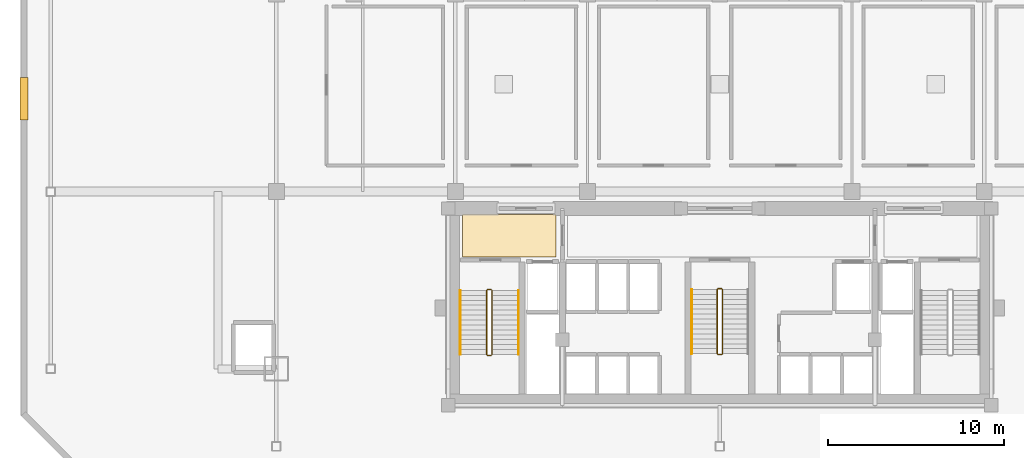
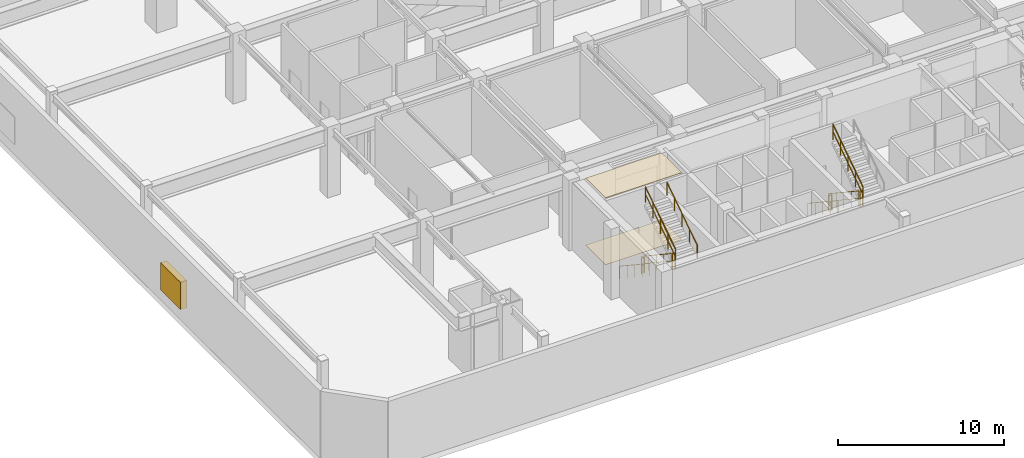
# One storey, part 12 of 14: 11 railings, 2 coverings, 1 shading device.
"""IFC4 building model written with IfcOpenShell, lengths in metres."""

from ifc_helpers import new_model, si_unit, direction, frame, origin, origin_2d, place, context, subcontext, project, spatial, polyline, rectangle, circle, outline, extrude, material, layer, layer_set, type_object, element, save


model = new_model("IFC4")

# Units and contexts
model_context = context("Model", 3, precision=1e-05, world=origin(), true_north=direction((0.0, 1.0)))
body_context = subcontext(model_context, "Body", "Model", "MODEL_VIEW")
ifc_project = project(units=[si_unit("LENGTHUNIT", "METRE"), si_unit("AREAUNIT", "SQUARE_METRE"), si_unit("VOLUMEUNIT", "CUBIC_METRE"), si_unit("PLANEANGLEUNIT", "RADIAN"), si_unit("MASSUNIT", "GRAM", prefix="KILO")], contexts=[model_context])

# Site, building, storey
site_placement = place(None, origin())
site = spatial("IfcSite", under=ifc_project, at=site_placement, CompositionType="ELEMENT")
building_placement = place(site_placement, origin())
building = spatial("IfcBuilding", under=site, at=building_placement, Name="Ventersveld Concourse Tower", CompositionType="ELEMENT")
storey_placement = place(building_placement, frame((0.0, 0.0, 24.60009765625)))
storey = spatial("IfcBuildingStorey", under=building, at=storey_placement, Name="L05", CompositionType="ELEMENT", Elevation=24.60009765625)

# Coverings
ifc_material_1 = material(Name="Mineral-fibre acoustic ceiling tile", Category="gypsum")
ifc_layer_1 = layer(ifc_material_1, 0.0400390625)
ifc_layer_set_1 = layer_set([ifc_layer_1], Name="Mineral-fibre acoustic ceiling tile")
covering_type_1 = type_object("IfcCoveringType", Name="COV-CEIL-ACOUSTIC", PredefinedType="CEILING", material=ifc_layer_set_1)
covering_1_placement = place(storey_placement, frame((0.0, 0.0, 4.909912109375)))
element("IfcCovering", 1, at=covering_1_placement, inside=storey, type_object=covering_type_1, Name="L05 West Firefighting Lobby Acoustic Ceiling", PredefinedType="CEILING", context=body_context, shape_type="SweptSolid", body=[
    extrude(outline(polyline([(14.14990234375, 8.699951171875), (19.449951171875, 8.699951171875), (19.449951171875, 11.10009765625), (14.14990234375, 11.10009765625), (14.14990234375, 8.699951171875)])), origin(), (0.0, 0.0, 1.0), 0.0400390625),
])
ifc_material_2 = material(Name="Polished Highveld granite terrazzo", Category="masonry")
ifc_layer_2 = layer(ifc_material_2, 0.02001953125)
ifc_layer_set_2 = layer_set([ifc_layer_2], Name="Polished Highveld granite terrazzo")
covering_type_2 = type_object("IfcCoveringType", Name="COV-FLOOR-TERRAZZO", PredefinedType="FLOORING", material=ifc_layer_set_2)
covering_2_placement = place(storey_placement, origin())
element("IfcCovering", 2, at=covering_2_placement, inside=storey, type_object=covering_type_2, Name="L05 West Firefighting Lobby Terrazzo Flooring", PredefinedType="FLOORING", context=body_context, shape_type="SweptSolid", body=[
    extrude(outline(polyline([(14.14990234375, 8.699951171875), (19.449951171875, 8.699951171875), (19.449951171875, 11.10009765625), (14.14990234375, 11.10009765625), (14.14990234375, 8.699951171875)])), origin(), (0.0, 0.0, 1.0), 0.02001953125),
])

# Railings
ifc_material_3 = material(Name="Brushed stainless steel 316", Category="steel")
railing_type_1 = type_object("IfcRailingType", Name="GD-BAL-115", PredefinedType="GUARDRAIL", material=ifc_material_3)
railing_1_placement = place(storey_placement, frame((15.530029296875, 6.800048828125, 0.185546875)))
element("IfcRailing", 3, at=railing_1_placement, inside=storey, type_object=railing_type_1, Name="L05 ST-01 stair guard 1", PredefinedType="GUARDRAIL", context=body_context, shape_type="SweptSolid", body=[
    extrude(circle(Radius=0.02392578125, at=origin_2d()), frame((0.0, 0.0, 1.1259765625), z_axis=(0.0, -0.833363587613, 0.552725185641), x_axis=(1.0, 0.0, 0.0)), (0.0, 0.0, 1.0), 4.367919921875),
    extrude(circle(Radius=0.01611328125, at=origin_2d()), frame((0.0, 0.0, 0.574951171875), z_axis=(0.0, -0.833363587613, 0.552725185641), x_axis=(1.0, 0.0, 0.0)), (0.0, 0.0, 1.0), 4.367919921875),
    extrude(circle(Radius=0.02099609375, at=origin_2d()), origin(), (0.0, 0.0, 1.0), 1.101806640625),
    extrude(circle(Radius=0.02099609375, at=origin_2d()), frame((0.0, -0.91015625, 0.603515625)), (0.0, 0.0, 1.0), 1.101806640625),
    extrude(circle(Radius=0.02099609375, at=origin_2d()), frame((0.0, -1.820068359375, 1.20703125)), (0.0, 0.0, 1.0), 1.101806640625),
    extrude(circle(Radius=0.02099609375, at=origin_2d()), frame((0.0, -2.72998046875, 1.810791015625)), (0.0, 0.0, 1.0), 1.101806640625),
    extrude(circle(Radius=0.02099609375, at=origin_2d()), frame((0.0, -3.64013671875, 2.414306640625)), (0.0, 0.0, 1.0), 1.101806640625),
])
railing_2_placement = place(storey_placement, frame((15.580078125, 3.110107421875, 2.599853515625)))
element("IfcRailing", 4, at=railing_2_placement, inside=storey, type_object=railing_type_1, Name="L05 ST-01 stair guard 2", PredefinedType="GUARDRAIL", context=body_context, shape_type="SweptSolid", body=[
    extrude(circle(Radius=0.02392578125, at=origin_2d()), frame((0.0, 0.0, 1.1259765625), z_axis=(1.0, 0.0, 0.0), x_axis=(0.0, 1.0, 0.0)), (0.0, 0.0, 1.0), 0.199951171875),
    extrude(circle(Radius=0.01611328125, at=origin_2d()), frame((0.0, 0.0, 0.574951171875), z_axis=(1.0, 0.0, 0.0), x_axis=(0.0, 1.0, 0.0)), (0.0, 0.0, 1.0), 0.199951171875),
    extrude(circle(Radius=0.02099609375, at=origin_2d()), origin(), (0.0, 0.0, 1.0), 1.101806640625),
    extrude(circle(Radius=0.02099609375, at=origin_2d()), frame((0.199951171875, 0.0, 0.0)), (0.0, 0.0, 1.0), 1.101806640625),
])
railing_3_placement = place(storey_placement, frame((15.830078125, 3.159912109375, 2.78564453125)))
element("IfcRailing", 5, at=railing_3_placement, inside=storey, type_object=railing_type_1, Name="L05 ST-01 stair guard 3", PredefinedType="GUARDRAIL", context=body_context, shape_type="SweptSolid", body=[
    extrude(circle(Radius=0.02392578125, at=origin_2d()), frame((0.0, 0.0, 1.1259765625), z_axis=(0.0, 0.833363587613, 0.552725185641), x_axis=(-1.0, 0.0, 0.0)), (0.0, 0.0, 1.0), 4.367919921875),
    extrude(circle(Radius=0.01611328125, at=origin_2d()), frame((0.0, 0.0, 0.574951171875), z_axis=(0.0, 0.833363587613, 0.552725185641), x_axis=(-1.0, 0.0, 0.0)), (0.0, 0.0, 1.0), 4.367919921875),
    extrude(circle(Radius=0.02099609375, at=origin_2d()), origin(), (0.0, 0.0, 1.0), 1.101806640625),
    extrude(circle(Radius=0.02099609375, at=origin_2d()), frame((0.0, 0.91015625, 0.603515625)), (0.0, 0.0, 1.0), 1.101806640625),
    extrude(circle(Radius=0.02099609375, at=origin_2d()), frame((0.0, 1.820068359375, 1.20703125)), (0.0, 0.0, 1.0), 1.101806640625),
    extrude(circle(Radius=0.02099609375, at=origin_2d()), frame((0.0, 2.72998046875, 1.810791015625)), (0.0, 0.0, 1.0), 1.101806640625),
    extrude(circle(Radius=0.02099609375, at=origin_2d()), frame((0.0, 3.64013671875, 2.414306640625)), (0.0, 0.0, 1.0), 1.101806640625),
])
railing_4_placement = place(storey_placement, frame((15.580078125, 6.85009765625, 0.0)))
element("IfcRailing", 6, at=railing_4_placement, inside=storey, type_object=railing_type_1, Name="L05 ST-01 stair guard 4", PredefinedType="GUARDRAIL", context=body_context, shape_type="SweptSolid", body=[
    extrude(circle(Radius=0.02392578125, at=origin_2d()), frame((0.0, 0.0, 1.1259765625), z_axis=(1.0, 0.0, 0.0), x_axis=(0.0, 1.0, 0.0)), (0.0, 0.0, 1.0), 0.199951171875),
    extrude(circle(Radius=0.01611328125, at=origin_2d()), frame((0.0, 0.0, 0.574951171875), z_axis=(1.0, 0.0, 0.0), x_axis=(0.0, 1.0, 0.0)), (0.0, 0.0, 1.0), 0.199951171875),
    extrude(circle(Radius=0.02099609375, at=origin_2d()), origin(), (0.0, 0.0, 1.0), 1.101806640625),
    extrude(circle(Radius=0.02099609375, at=origin_2d()), frame((0.199951171875, 0.0, 0.0)), (0.0, 0.0, 1.0), 1.101806640625),
])
railing_5_placement = place(storey_placement, frame((28.60009765625, 6.85009765625, 0.185546875)))
element("IfcRailing", 7, at=railing_5_placement, inside=storey, type_object=railing_type_1, Name="L05 ST-03 stair guard 1", PredefinedType="GUARDRAIL", context=body_context, shape_type="SweptSolid", body=[
    extrude(circle(Radius=0.02392578125, at=origin_2d()), frame((0.0, 0.0, 1.1259765625), z_axis=(0.0, -0.833363587613, 0.552725185641), x_axis=(1.0, 0.0, 0.0)), (0.0, 0.0, 1.0), 4.367919921875),
    extrude(circle(Radius=0.01611328125, at=origin_2d()), frame((0.0, 0.0, 0.574951171875), z_axis=(0.0, -0.833363587613, 0.552725185641), x_axis=(1.0, 0.0, 0.0)), (0.0, 0.0, 1.0), 4.367919921875),
    extrude(circle(Radius=0.02099609375, at=origin_2d()), origin(), (0.0, 0.0, 1.0), 1.101806640625),
    extrude(circle(Radius=0.02099609375, at=origin_2d()), frame((0.0, -0.91015625, 0.603515625)), (0.0, 0.0, 1.0), 1.101806640625),
    extrude(circle(Radius=0.02099609375, at=origin_2d()), frame((0.0, -1.820068359375, 1.20703125)), (0.0, 0.0, 1.0), 1.101806640625),
    extrude(circle(Radius=0.02099609375, at=origin_2d()), frame((0.0, -2.72998046875, 1.810791015625)), (0.0, 0.0, 1.0), 1.101806640625),
    extrude(circle(Radius=0.02099609375, at=origin_2d()), frame((0.0, -3.64013671875, 2.414306640625)), (0.0, 0.0, 1.0), 1.101806640625),
])
railing_6_placement = place(storey_placement, frame((28.64990234375, 3.159912109375, 2.599853515625)))
element("IfcRailing", 8, at=railing_6_placement, inside=storey, type_object=railing_type_1, Name="L05 ST-03 stair guard 2", PredefinedType="GUARDRAIL", context=body_context, shape_type="SweptSolid", body=[
    extrude(circle(Radius=0.02392578125, at=origin_2d()), frame((0.0, 0.0, 1.1259765625), z_axis=(1.0, 0.0, 0.0), x_axis=(0.0, 1.0, 0.0)), (0.0, 0.0, 1.0), 0.2001953125),
    extrude(circle(Radius=0.01611328125, at=origin_2d()), frame((0.0, 0.0, 0.574951171875), z_axis=(1.0, 0.0, 0.0), x_axis=(0.0, 1.0, 0.0)), (0.0, 0.0, 1.0), 0.2001953125),
    extrude(circle(Radius=0.02099609375, at=origin_2d()), origin(), (0.0, 0.0, 1.0), 1.101806640625),
    extrude(circle(Radius=0.02099609375, at=origin_2d()), frame((0.2001953125, 0.0, 0.0)), (0.0, 0.0, 1.0), 1.101806640625),
])
railing_7_placement = place(storey_placement, frame((28.89990234375, 3.2099609375, 2.78564453125)))
element("IfcRailing", 9, at=railing_7_placement, inside=storey, type_object=railing_type_1, Name="L05 ST-03 stair guard 3", PredefinedType="GUARDRAIL", context=body_context, shape_type="SweptSolid", body=[
    extrude(circle(Radius=0.02392578125, at=origin_2d()), frame((0.0, 0.0, 1.1259765625), z_axis=(0.0, 0.833363587613, 0.552725185641), x_axis=(-1.0, 0.0, 0.0)), (0.0, 0.0, 1.0), 4.367919921875),
    extrude(circle(Radius=0.01611328125, at=origin_2d()), frame((0.0, 0.0, 0.574951171875), z_axis=(0.0, 0.833363587613, 0.552725185641), x_axis=(-1.0, 0.0, 0.0)), (0.0, 0.0, 1.0), 4.367919921875),
    extrude(circle(Radius=0.02099609375, at=origin_2d()), origin(), (0.0, 0.0, 1.0), 1.101806640625),
    extrude(circle(Radius=0.02099609375, at=origin_2d()), frame((0.0, 0.91015625, 0.603515625)), (0.0, 0.0, 1.0), 1.101806640625),
    extrude(circle(Radius=0.02099609375, at=origin_2d()), frame((0.0, 1.820068359375, 1.20703125)), (0.0, 0.0, 1.0), 1.101806640625),
    extrude(circle(Radius=0.02099609375, at=origin_2d()), frame((0.0, 2.72998046875, 1.810791015625)), (0.0, 0.0, 1.0), 1.101806640625),
    extrude(circle(Radius=0.02099609375, at=origin_2d()), frame((0.0, 3.64013671875, 2.414306640625)), (0.0, 0.0, 1.0), 1.101806640625),
])
railing_8_placement = place(storey_placement, frame((28.64990234375, 6.89990234375, 0.0)))
element("IfcRailing", 10, at=railing_8_placement, inside=storey, type_object=railing_type_1, Name="L05 ST-03 stair guard 4", PredefinedType="GUARDRAIL", context=body_context, shape_type="SweptSolid", body=[
    extrude(circle(Radius=0.02392578125, at=origin_2d()), frame((0.0, 0.0, 1.1259765625), z_axis=(1.0, 0.0, 0.0), x_axis=(0.0, 1.0, 0.0)), (0.0, 0.0, 1.0), 0.2001953125),
    extrude(circle(Radius=0.01611328125, at=origin_2d()), frame((0.0, 0.0, 0.574951171875), z_axis=(1.0, 0.0, 0.0), x_axis=(0.0, 1.0, 0.0)), (0.0, 0.0, 1.0), 0.2001953125),
    extrude(circle(Radius=0.02099609375, at=origin_2d()), origin(), (0.0, 0.0, 1.0), 1.101806640625),
    extrude(circle(Radius=0.02099609375, at=origin_2d()), frame((0.2001953125, 0.0, 0.0)), (0.0, 0.0, 1.0), 1.101806640625),
])
railing_type_2 = type_object("IfcRailingType", Name="HR-RMP-095", PredefinedType="HANDRAIL", material=ifc_material_3)
railing_9_placement = place(storey_placement, frame((14.030029296875, 6.800048828125, 0.185546875)))
element("IfcRailing", 11, at=railing_9_placement, inside=storey, type_object=railing_type_2, Name="L05 ST-01 stair handrail 1", PredefinedType="HANDRAIL", context=body_context, shape_type="SweptSolid", body=[
    extrude(circle(Radius=0.02392578125, at=origin_2d()), frame((0.0, 0.0, 0.92578125), z_axis=(0.0, -0.833363587613, 0.552725185641), x_axis=(1.0, 0.0, 0.0)), (0.0, 0.0, 1.0), 4.367919921875),
    extrude(circle(Radius=0.02099609375, at=origin_2d()), origin(), (0.0, 0.0, 1.0), 0.90185546875),
    extrude(circle(Radius=0.02099609375, at=origin_2d()), frame((0.0, -0.91015625, 0.603515625)), (0.0, 0.0, 1.0), 0.90185546875),
    extrude(circle(Radius=0.02099609375, at=origin_2d()), frame((0.0, -1.820068359375, 1.20703125)), (0.0, 0.0, 1.0), 0.90185546875),
    extrude(circle(Radius=0.02099609375, at=origin_2d()), frame((0.0, -2.72998046875, 1.810791015625)), (0.0, 0.0, 1.0), 0.90185546875),
    extrude(circle(Radius=0.02099609375, at=origin_2d()), frame((0.0, -3.64013671875, 2.414306640625)), (0.0, 0.0, 1.0), 0.90185546875),
])
railing_10_placement = place(storey_placement, frame((17.330078125, 3.159912109375, 2.78564453125)))
element("IfcRailing", 12, at=railing_10_placement, inside=storey, type_object=railing_type_2, Name="L05 ST-01 stair handrail 2", PredefinedType="HANDRAIL", context=body_context, shape_type="SweptSolid", body=[
    extrude(circle(Radius=0.02392578125, at=origin_2d()), frame((0.0, 0.0, 0.92578125), z_axis=(0.0, 0.833363587613, 0.552725185641), x_axis=(-1.0, 0.0, 0.0)), (0.0, 0.0, 1.0), 4.367919921875),
    extrude(circle(Radius=0.02099609375, at=origin_2d()), origin(), (0.0, 0.0, 1.0), 0.90185546875),
    extrude(circle(Radius=0.02099609375, at=origin_2d()), frame((0.0, 0.91015625, 0.603515625)), (0.0, 0.0, 1.0), 0.90185546875),
    extrude(circle(Radius=0.02099609375, at=origin_2d()), frame((0.0, 1.820068359375, 1.20703125)), (0.0, 0.0, 1.0), 0.90185546875),
    extrude(circle(Radius=0.02099609375, at=origin_2d()), frame((0.0, 2.72998046875, 1.810791015625)), (0.0, 0.0, 1.0), 0.90185546875),
    extrude(circle(Radius=0.02099609375, at=origin_2d()), frame((0.0, 3.64013671875, 2.414306640625)), (0.0, 0.0, 1.0), 0.90185546875),
])
railing_11_placement = place(storey_placement, frame((27.14990234375, 6.85009765625, 0.185546875)))
element("IfcRailing", 13, at=railing_11_placement, inside=storey, type_object=railing_type_2, Name="L05 ST-03 stair handrail 1", PredefinedType="HANDRAIL", context=body_context, shape_type="SweptSolid", body=[
    extrude(circle(Radius=0.02392578125, at=origin_2d()), frame((0.0, 0.0, 0.92578125), z_axis=(0.0, -0.833363587613, 0.552725185641), x_axis=(1.0, 0.0, 0.0)), (0.0, 0.0, 1.0), 4.367919921875),
    extrude(circle(Radius=0.02099609375, at=origin_2d()), origin(), (0.0, 0.0, 1.0), 0.90185546875),
    extrude(circle(Radius=0.02099609375, at=origin_2d()), frame((0.0, -0.91015625, 0.603515625)), (0.0, 0.0, 1.0), 0.90185546875),
    extrude(circle(Radius=0.02099609375, at=origin_2d()), frame((0.0, -1.820068359375, 1.20703125)), (0.0, 0.0, 1.0), 0.90185546875),
    extrude(circle(Radius=0.02099609375, at=origin_2d()), frame((0.0, -2.72998046875, 1.810791015625)), (0.0, 0.0, 1.0), 0.90185546875),
    extrude(circle(Radius=0.02099609375, at=origin_2d()), frame((0.0, -3.64013671875, 2.414306640625)), (0.0, 0.0, 1.0), 0.90185546875),
])

# Shading device
ifc_material_4 = material(Name="Anodised aluminium EN AW-6063-T6", Category="aluminium")
shading_device_type = type_object("IfcShadingDeviceType", Name="SHD-LOUVRE-300", PredefinedType="JALOUSIE", material=ifc_material_4)
shading_device_placement = place(storey_placement, frame((-10.719970703125, 17.659912109375, 0.7998046875), z_axis=(0.0, 0.0, 1.0), x_axis=(0.0, 1.0, 0.0)))
element("IfcShadingDevice", 14, at=shading_device_placement, inside=storey, type_object=shading_device_type, Name="L05 Acoustic Intake Louvre W2", PredefinedType="JALOUSIE", context=body_context, shape_type="SweptSolid", body=[
    extrude(rectangle(XDim=2.39990234375, YDim=0.43994140625, at=origin_2d()), origin(), (0.0, 0.0, 1.0), 2.0),
])

save(model, "model.ifc")
